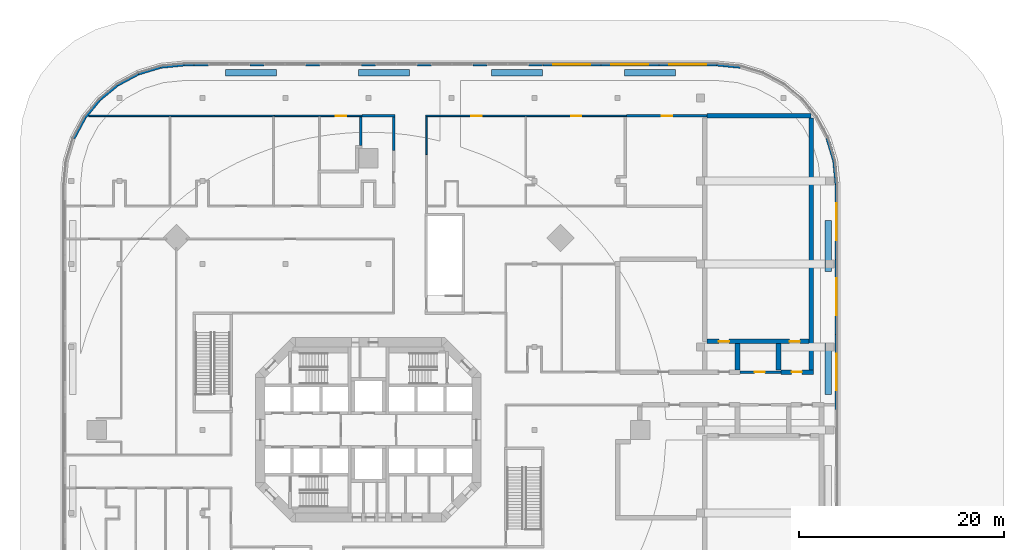
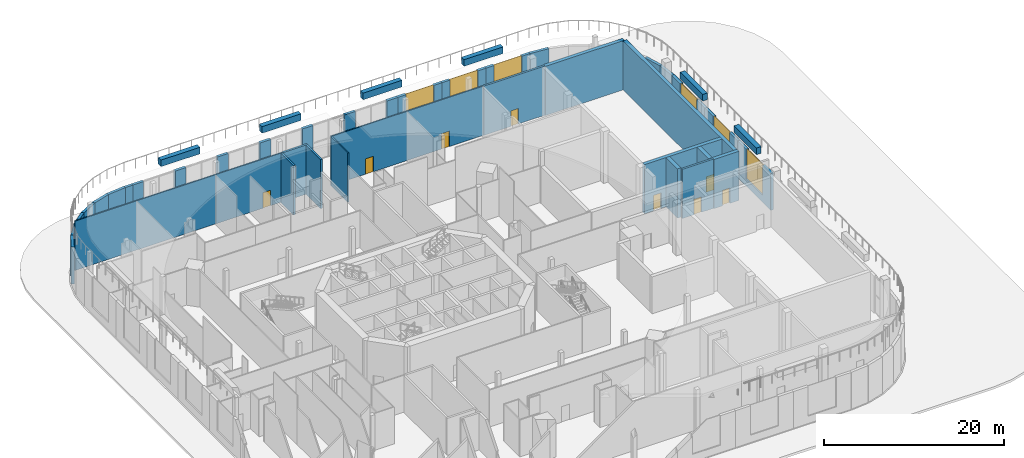
# One storey, part 13 of 17: 44 walls, 8 doors, 6 windows, 14 openings.
"""IFC4 building model written with IfcOpenShell, lengths in metres."""

from ifc_helpers import new_model, si_unit, direction, frame, frame_2d, origin, place, context, subcontext, project, spatial, rectangle, extrude, material, layer, layer_set, type_object, element, fill, save


model = new_model("IFC4")

# Units and contexts
model_context = context("Model", 3, precision=1e-05, world=origin(), true_north=direction((0.0, 1.0)))
body_context = subcontext(model_context, "Body", "Model", "MODEL_VIEW")
ifc_project = project(units=[si_unit("LENGTHUNIT", "METRE"), si_unit("AREAUNIT", "SQUARE_METRE"), si_unit("VOLUMEUNIT", "CUBIC_METRE"), si_unit("PLANEANGLEUNIT", "RADIAN"), si_unit("MASSUNIT", "GRAM", prefix="KILO")], contexts=[model_context])

# Site, building, storey
site_placement = place(None, origin())
site = spatial("IfcSite", under=ifc_project, at=site_placement, CompositionType="ELEMENT")
building_placement = place(site_placement, origin())
building = spatial("IfcBuilding", under=site, at=building_placement, Name="Torre Triforio", CompositionType="ELEMENT")
storey_placement = place(building_placement, frame((0.0, 0.0, 13.0)))
storey = spatial("IfcBuildingStorey", under=building, at=storey_placement, Name="L02", CompositionType="ELEMENT", Elevation=13.0)

# Wall, openings, doors
ifc_material_1 = material(Name="Plasterboard on metal studs")
ifc_layer_1 = layer(ifc_material_1, 0.14990234375)
ifc_layer_set_1 = layer_set([ifc_layer_1], Name="Plasterboard on metal studs")
wall_type_1 = type_object("IfcWallType", Name="Corridor wall 150 EI 60", PredefinedType="PARTITIONING", material=ifc_layer_set_1)
wall_1_placement = place(storey_placement, frame((5.574951171875, 30.64990234375, 0.0), z_axis=(0.0, 0.0, 1.0), x_axis=(1.0, 0.0, 0.0)))
wall_1 = element("IfcWall", 1, at=wall_1_placement, inside=storey, type_object=wall_type_1, Name="Corridor wall L02 045", PredefinedType="PARTITIONING", context=body_context, shape_type="SweptSolid", body=[
    extrude(rectangle(XDim=19.593017578125, YDim=0.14990234375, at=frame_2d((9.79638671875, 0.0))), origin(), (0.0, 0.0, 1.0), 6.679931640625),
])
opening_1_placement = place(wall_1_placement, frame((4.449951171875, 0.0, 0.0)))
opening_1 = element("IfcOpeningElement", 2, at=opening_1_placement, cuts=wall_1, Name="Opening P2-21", PredefinedType="OPENING", context=body_context, shape_type="SweptSolid", body=[
    extrude(rectangle(XDim=1.0, YDim=2.10009765625, at=frame_2d((0.5, 1.050048828125))), frame((0.0, 0.0849609375, 0.0), z_axis=(0.0, -1.0, 0.0), x_axis=(1.0, 0.0, 0.0)), (0.0, 0.0, 1.0), 0.169921875),
])
opening_2_placement = place(wall_1_placement, frame((14.181396484375, 0.0, 0.0)))
opening_2 = element("IfcOpeningElement", 3, at=opening_2_placement, cuts=wall_1, Name="Opening P2-22", PredefinedType="OPENING", context=body_context, shape_type="SweptSolid", body=[
    extrude(rectangle(XDim=1.0, YDim=2.10009765625, at=frame_2d((0.5, 1.050048828125))), frame((0.0, 0.0849609375, 0.0), z_axis=(0.0, -1.0, 0.0), x_axis=(1.0, 0.0, 0.0)), (0.0, 0.0, 1.0), 0.169921875),
])
ifc_material_2 = material(Name="Timber door leaf", Category="wood")
door_type_1 = type_object("IfcDoorType", Name="Single door 1000 x 2100 EI 30", OperationType="NOTDEFINED", PredefinedType="DOOR", material=ifc_material_2)
door_1_placement = place(opening_1_placement, origin())
door_1 = element("IfcDoor", 4, at=door_1_placement, inside=storey, type_object=door_type_1, Name="Door P2-21", OperationType="SINGLE_SWING_LEFT", OverallHeight=2.10009765625, OverallWidth=1.0, PredefinedType="DOOR", context=body_context, shape_type="SweptSolid", body=[
    extrude(rectangle(XDim=1.0, YDim=2.10009765625, at=frame_2d((0.5, 1.050048828125))), frame((0.0, 0.02490234375, 0.0), z_axis=(0.0, -1.0, 0.0), x_axis=(1.0, 0.0, 0.0)), (0.0, 0.0, 1.0), 0.050048828125),
])
fill(opening_1, door_1)
door_2_placement = place(opening_2_placement, origin())
door_2 = element("IfcDoor", 5, at=door_2_placement, inside=storey, type_object=door_type_1, Name="Door P2-22", OperationType="SINGLE_SWING_LEFT", OverallHeight=2.10009765625, OverallWidth=1.0, PredefinedType="DOOR", context=body_context, shape_type="SweptSolid", body=[
    extrude(rectangle(XDim=1.0, YDim=2.10009765625, at=frame_2d((0.5, 1.050048828125))), frame((0.0, 0.02490234375, 0.0), z_axis=(0.0, -1.0, 0.0), x_axis=(1.0, 0.0, 0.0)), (0.0, 0.0, 1.0), 0.050048828125),
])
fill(opening_2, door_2)

# Walls
wall_2_placement = place(storey_placement, frame((5.64990234375, 26.86572265625, 0.0), z_axis=(0.0, 0.0, 1.0), x_axis=(0.0, 1.0, 0.0)))
element("IfcWall", 6, at=wall_2_placement, inside=storey, type_object=wall_type_1, Name="Corridor wall L02 088", PredefinedType="PARTITIONING", context=body_context, shape_type="SweptSolid", body=[
    extrude(rectangle(XDim=3.709228515625, YDim=0.14990234375, at=frame_2d((1.8544921875, 0.0))), origin(), (0.0, 0.0, 1.0), 6.679931640625),
])
wall_3_placement = place(storey_placement, frame((-27.279541015625, 30.64990234375, 0.0), z_axis=(0.0, 0.0, 1.0), x_axis=(1.0, 0.0, 0.0)))
element("IfcWall", 7, at=wall_3_placement, inside=storey, type_object=wall_type_1, Name="Corridor wall L02 099", PredefinedType="PARTITIONING", context=body_context, shape_type="SweptSolid", body=[
    extrude(rectangle(XDim=18.1015625, YDim=0.14990234375, at=frame_2d((9.05078125, 0.0))), origin(), (0.0, 0.0, 1.0), 6.679931640625),
])

# Wall, opening, door
ifc_material_3 = material(Name="Masonry block", Category="masonry")
ifc_layer_2 = layer(ifc_material_3, 0.25)
ifc_layer_set_2 = layer_set([ifc_layer_2], Name="Masonry block")
wall_type_2 = type_object("IfcWallType", Name="Plant room wall 250 EI 120", PredefinedType="PARTITIONING", material=ifc_layer_set_2)
wall_4_placement = place(storey_placement, frame((36.22509765625, 5.64990234375, 0.0), z_axis=(0.0, 0.0, 1.0), x_axis=(1.0, 0.0, 0.0)))
wall_4 = element("IfcWall", 8, at=wall_4_placement, inside=storey, type_object=wall_type_2, Name="Plant room wall L02 001", PredefinedType="PARTITIONING", context=body_context, shape_type="SweptSolid", body=[
    extrude(rectangle(XDim=4.0, YDim=0.25, at=frame_2d((2.0, 0.0))), origin(), (0.0, 0.0, 1.0), 6.679931640625),
])
opening_3_placement = place(wall_4_placement, frame((1.449951171875, 0.0, 0.0)))
opening_3 = element("IfcOpeningElement", 9, at=opening_3_placement, cuts=wall_4, Name="Opening P2-13", PredefinedType="OPENING", context=body_context, shape_type="SweptSolid", body=[
    extrude(rectangle(XDim=1.0, YDim=2.10009765625, at=frame_2d((0.5, 1.050048828125))), frame((0.0, 0.135009765625, 0.0), z_axis=(0.0, -1.0, 0.0), x_axis=(1.0, 0.0, 0.0)), (0.0, 0.0, 1.0), 0.27001953125),
])
ifc_material_4 = material(Name="Hollow metal fire door leaf")
door_type_2 = type_object("IfcDoorType", Name="Fire door 1000 x 2100 EI 60", OperationType="NOTDEFINED", PredefinedType="DOOR", material=ifc_material_4)
door_3_placement = place(opening_3_placement, origin())
door_3 = element("IfcDoor", 10, at=door_3_placement, inside=storey, type_object=door_type_2, Name="Door P2-13", OperationType="SINGLE_SWING_LEFT", OverallHeight=2.10009765625, OverallWidth=1.0, PredefinedType="DOOR", context=body_context, shape_type="SweptSolid", body=[
    extrude(rectangle(XDim=1.0, YDim=2.10009765625, at=frame_2d((0.5, 1.050048828125))), frame((0.0, 0.02490234375, 0.0), z_axis=(0.0, -1.0, 0.0), x_axis=(1.0, 0.0, 0.0)), (0.0, 0.0, 1.0), 0.050048828125),
])
fill(opening_3, door_3)

wall_5_placement = place(storey_placement, frame((25.16796875, 30.64990234375, 0.0), z_axis=(0.0, 0.0, 1.0), x_axis=(1.0, 0.0, 0.0)))
wall_5 = element("IfcWall", 11, at=wall_5_placement, inside=storey, type_object=wall_type_2, Name="Plant room wall L02 085", PredefinedType="PARTITIONING", context=body_context, shape_type="SweptSolid", body=[
    extrude(rectangle(XDim=7.85693359375, YDim=0.25, at=frame_2d((3.928466796875, 0.0))), origin(), (0.0, 0.0, 1.0), 6.679931640625),
])
opening_4_placement = place(wall_5_placement, frame((3.449951171875, 0.0, 0.0)))
opening_4 = element("IfcOpeningElement", 12, at=opening_4_placement, cuts=wall_5, Name="Opening P2-23", PredefinedType="OPENING", context=body_context, shape_type="SweptSolid", body=[
    extrude(rectangle(XDim=1.0, YDim=2.10009765625, at=frame_2d((0.5, 1.050048828125))), frame((0.0, 0.135009765625, 0.0), z_axis=(0.0, -1.0, 0.0), x_axis=(1.0, 0.0, 0.0)), (0.0, 0.0, 1.0), 0.27001953125),
])
door_4_placement = place(opening_4_placement, origin())
door_4 = element("IfcDoor", 13, at=door_4_placement, inside=storey, type_object=door_type_2, Name="Door P2-23", OperationType="SINGLE_SWING_LEFT", OverallHeight=2.10009765625, OverallWidth=1.0, PredefinedType="DOOR", context=body_context, shape_type="SweptSolid", body=[
    extrude(rectangle(XDim=1.0, YDim=2.10009765625, at=frame_2d((0.5, 1.050048828125))), frame((0.0, 0.02490234375, 0.0), z_axis=(0.0, -1.0, 0.0), x_axis=(1.0, 0.0, 0.0)), (0.0, 0.0, 1.0), 0.050048828125),
])
fill(opening_4, door_4)

# Walls
wall_6_placement = place(storey_placement, frame((2.449951171875, 27.286865234375, 0.0), z_axis=(0.0, 0.0, 1.0), x_axis=(0.0, 1.0, 0.0)))
element("IfcWall", 14, at=wall_6_placement, inside=storey, type_object=wall_type_2, Name="Plant room wall L02 096", PredefinedType="PARTITIONING", context=body_context, shape_type="SweptSolid", body=[
    extrude(rectangle(XDim=3.238037109375, YDim=0.25, at=frame_2d((1.619140625, 0.0))), origin(), (0.0, 0.0, 1.0), 6.679931640625),
])
wall_7_placement = place(storey_placement, frame((-0.6240234375, 30.64990234375, 0.0), z_axis=(0.0, 0.0, 1.0), x_axis=(1.0, 0.0, 0.0)))
element("IfcWall", 15, at=wall_7_placement, inside=storey, type_object=wall_type_2, Name="Plant room wall L02 098", PredefinedType="PARTITIONING", context=body_context, shape_type="SweptSolid", body=[
    extrude(rectangle(XDim=3.198974609375, YDim=0.25, at=frame_2d((1.599609375, 0.0))), origin(), (0.0, 0.0, 1.0), 6.679931640625),
])
wall_8_placement = place(storey_placement, frame((-0.7490234375, 27.7451171875, 0.0), z_axis=(0.0, 0.0, 1.0), x_axis=(0.0, 1.0, 0.0)))
element("IfcWall", 16, at=wall_8_placement, inside=storey, type_object=wall_type_2, Name="Plant room wall L02 178", PredefinedType="PARTITIONING", context=body_context, shape_type="SweptSolid", body=[
    extrude(rectangle(XDim=2.77978515625, YDim=0.25, at=frame_2d((1.389892578125, 0.0))), origin(), (0.0, 0.0, 1.0), 6.679931640625),
])

# Wall, opening, window
ifc_material_5 = material(Name="Limestone cladding", Category="masonry")
ifc_layer_3 = layer(ifc_material_5, 0.10009765625)
ifc_material_6 = material(Name="Concrete C40", Category="concrete")
ifc_layer_4 = layer(ifc_material_6, 0.25)
ifc_layer_set_3 = layer_set([ifc_layer_3, ifc_layer_4], Name="Limestone cladding / Concrete C40")
wall_type_3 = type_object("IfcWallType", Name="Stone-clad podium wall 350", PredefinedType="STANDARD", material=ifc_layer_set_3)
wall_9_placement = place(storey_placement, frame((45.675048828125, 1.991943359375, 0.0), z_axis=(0.0, 0.0, 1.0), x_axis=(0.0, 1.0, 0.0)))
wall_9 = element("IfcWall", 17, at=wall_9_placement, inside=storey, type_object=wall_type_3, Name="External wall L02 e08.0.1.w3", PredefinedType="STANDARD", context=body_context, shape_type="SweptSolid", body=[
    extrude(rectangle(XDim=7.330810546875, YDim=0.35009765625, at=frame_2d((3.66552734375, 0.0))), origin(), (0.0, 0.0, 1.0), 5.0),
])
opening_5_placement = place(wall_9_placement, frame((1.865234375, 0.0, 1.0)))
opening_5 = element("IfcOpeningElement", 18, at=opening_5_placement, cuts=wall_9, Name="Opening P2-W04", PredefinedType="OPENING", context=body_context, shape_type="SweptSolid", body=[
    extrude(rectangle(XDim=3.60009765625, YDim=4.0, at=frame_2d((1.800048828125, 2.0))), frame((0.0, 0.18505859375, 0.0), z_axis=(0.0, -1.0, 0.0), x_axis=(1.0, 0.0, 0.0)), (0.0, 0.0, 1.0), 0.3701171875),
])
ifc_material_7 = material(Name="Aluminium frame with clear double glazing", Category="aluminium")
window_type = type_object("IfcWindowType", Name="Podium window 3600 x 4000", PartitioningType="DOUBLE_PANEL_VERTICAL", PredefinedType="WINDOW", material=ifc_material_7)
window_1_placement = place(opening_5_placement, origin())
window_1 = element("IfcWindow", 19, at=window_1_placement, inside=storey, type_object=window_type, Name="Window L02 e08.0.1.w3", OverallHeight=4.0, OverallWidth=3.60009765625, PartitioningType="SINGLE_PANEL", PredefinedType="WINDOW", context=body_context, shape_type="SweptSolid", body=[
    extrude(rectangle(XDim=3.60009765625, YDim=4.0, at=frame_2d((1.800048828125, 2.0))), frame((0.0, 0.030029296875, 0.0), z_axis=(0.0, -1.0, 0.0), x_axis=(1.0, 0.0, 0.0)), (0.0, 0.0, 1.0), 0.06005859375),
])
fill(opening_5, window_1)

wall_10_placement = place(storey_placement, frame((45.675048828125, 9.32275390625, 0.0), z_axis=(0.0, 0.0, 1.0), x_axis=(0.0, 1.0, 0.0)))
wall_10 = element("IfcWall", 20, at=wall_10_placement, inside=storey, type_object=wall_type_3, Name="External wall L02 e08.0.1.w4", PredefinedType="STANDARD", context=body_context, shape_type="SweptSolid", body=[
    extrude(rectangle(XDim=7.33056640625, YDim=0.35009765625, at=frame_2d((3.665283203125, 0.0))), origin(), (0.0, 0.0, 1.0), 5.0),
])
opening_6_placement = place(wall_10_placement, frame((1.865234375, 0.0, 1.0)))
opening_6 = element("IfcOpeningElement", 21, at=opening_6_placement, cuts=wall_10, Name="Opening P2-W05", PredefinedType="OPENING", context=body_context, shape_type="SweptSolid", body=[
    extrude(rectangle(XDim=3.60009765625, YDim=4.0, at=frame_2d((1.800048828125, 2.0))), frame((0.0, 0.18505859375, 0.0), z_axis=(0.0, -1.0, 0.0), x_axis=(1.0, 0.0, 0.0)), (0.0, 0.0, 1.0), 0.3701171875),
])
window_2_placement = place(opening_6_placement, origin())
window_2 = element("IfcWindow", 22, at=window_2_placement, inside=storey, type_object=window_type, Name="Window L02 e08.0.1.w4", OverallHeight=4.0, OverallWidth=3.60009765625, PartitioningType="SINGLE_PANEL", PredefinedType="WINDOW", context=body_context, shape_type="SweptSolid", body=[
    extrude(rectangle(XDim=3.60009765625, YDim=4.0, at=frame_2d((1.800048828125, 2.0))), frame((0.0, 0.030029296875, 0.0), z_axis=(0.0, -1.0, 0.0), x_axis=(1.0, 0.0, 0.0)), (0.0, 0.0, 1.0), 0.06005859375),
])
fill(opening_6, window_2)

wall_11_placement = place(storey_placement, frame((45.675048828125, 16.6533203125, 0.0), z_axis=(0.0, 0.0, 1.0), x_axis=(0.0, 1.0, 0.0)))
wall_11 = element("IfcWall", 23, at=wall_11_placement, inside=storey, type_object=wall_type_3, Name="External wall L02 e08.0.1.w5", PredefinedType="STANDARD", context=body_context, shape_type="SweptSolid", body=[
    extrude(rectangle(XDim=7.33056640625, YDim=0.35009765625, at=frame_2d((3.665283203125, 0.0))), origin(), (0.0, 0.0, 1.0), 5.0),
])
opening_7_placement = place(wall_11_placement, frame((1.865234375, 0.0, 1.0)))
opening_7 = element("IfcOpeningElement", 24, at=opening_7_placement, cuts=wall_11, Name="Opening P2-W06", PredefinedType="OPENING", context=body_context, shape_type="SweptSolid", body=[
    extrude(rectangle(XDim=3.60009765625, YDim=4.0, at=frame_2d((1.800048828125, 2.0))), frame((0.0, 0.18505859375, 0.0), z_axis=(0.0, -1.0, 0.0), x_axis=(1.0, 0.0, 0.0)), (0.0, 0.0, 1.0), 0.3701171875),
])
window_3_placement = place(opening_7_placement, origin())
window_3 = element("IfcWindow", 25, at=window_3_placement, inside=storey, type_object=window_type, Name="Window L02 e08.0.1.w5", OverallHeight=4.0, OverallWidth=3.60009765625, PartitioningType="SINGLE_PANEL", PredefinedType="WINDOW", context=body_context, shape_type="SweptSolid", body=[
    extrude(rectangle(XDim=3.60009765625, YDim=4.0, at=frame_2d((1.800048828125, 2.0))), frame((0.0, 0.030029296875, 0.0), z_axis=(0.0, -1.0, 0.0), x_axis=(1.0, 0.0, 0.0)), (0.0, 0.0, 1.0), 0.06005859375),
])
fill(opening_7, window_3)

# Walls
wall_12_placement = place(storey_placement, frame((45.675048828125, 23.98388671875, 0.0), z_axis=(0.0, 0.0, 1.0), x_axis=(-0.097993192849, 0.995187085002, 0.0)))
element("IfcWall", 26, at=wall_12_placement, inside=storey, type_object=wall_type_3, Name="External wall L02 e09.0.w0", PredefinedType="STANDARD", context=body_context, shape_type="SweptSolid", body=[
    extrude(rectangle(XDim=2.304443359375, YDim=0.35009765625, at=frame_2d((1.15234375, 0.0))), origin(), (0.0, 0.0, 1.0), 5.0),
])
wall_13_placement = place(storey_placement, frame((45.44921875, 26.27734375, 0.0), z_axis=(0.0, 0.0, 1.0), x_axis=(-0.29028274763, 0.956940921075, 0.0)))
element("IfcWall", 27, at=wall_13_placement, inside=storey, type_object=wall_type_3, Name="External wall L02 e10.0.w0", PredefinedType="STANDARD", context=body_context, shape_type="SweptSolid", body=[
    extrude(rectangle(XDim=2.28857421875, YDim=0.35009765625, at=frame_2d((1.144287109375, 0.0))), origin(), (0.0, 0.0, 1.0), 5.0),
])
wall_14_placement = place(storey_placement, frame((36.27734375, 35.44921875, 0.0), z_axis=(0.0, 0.0, 1.0), x_axis=(-0.995187085002, 0.097993192849, 0.0)))
element("IfcWall", 28, at=wall_14_placement, inside=storey, type_object=wall_type_3, Name="External wall L02 e16.0.w0", PredefinedType="STANDARD", context=body_context, shape_type="SweptSolid", body=[
    extrude(rectangle(XDim=2.304443359375, YDim=0.35009765625, at=frame_2d((1.15234375, 0.0))), origin(), (0.0, 0.0, 1.0), 5.0),
])

# Wall, opening, window
wall_15_placement = place(storey_placement, frame((33.98388671875, 35.675048828125, 0.0), z_axis=(0.0, 0.0, 1.0), x_axis=(-1.0, 0.0, 0.0)))
wall_15 = element("IfcWall", 29, at=wall_15_placement, inside=storey, type_object=wall_type_3, Name="External wall L02 e17.0.0.w0", PredefinedType="STANDARD", context=body_context, shape_type="SweptSolid", body=[
    extrude(rectangle(XDim=5.6611328125, YDim=0.35009765625, at=frame_2d((2.83056640625, 0.0))), origin(), (0.0, 0.0, 1.0), 5.0),
])
opening_8_placement = place(wall_15_placement, frame((1.03076171875, 0.0, 1.0)))
opening_8 = element("IfcOpeningElement", 30, at=opening_8_placement, cuts=wall_15, Name="Opening P2-W07", PredefinedType="OPENING", context=body_context, shape_type="SweptSolid", body=[
    extrude(rectangle(XDim=3.60009765625, YDim=4.0, at=frame_2d((1.800048828125, 2.0))), frame((0.0, 0.18505859375, 0.0), z_axis=(0.0, -1.0, 0.0), x_axis=(1.0, 0.0, 0.0)), (0.0, 0.0, 1.0), 0.3701171875),
])
window_4_placement = place(opening_8_placement, origin())
window_4 = element("IfcWindow", 31, at=window_4_placement, inside=storey, type_object=window_type, Name="Window L02 e17.0.0.w0", OverallHeight=4.0, OverallWidth=3.60009765625, PartitioningType="SINGLE_PANEL", PredefinedType="WINDOW", context=body_context, shape_type="SweptSolid", body=[
    extrude(rectangle(XDim=3.60009765625, YDim=4.0, at=frame_2d((1.800048828125, 2.0))), frame((0.0, 0.030029296875, 0.0), z_axis=(0.0, -1.0, 0.0), x_axis=(1.0, 0.0, 0.0)), (0.0, 0.0, 1.0), 0.06005859375),
])
fill(opening_8, window_4)

wall_16_placement = place(storey_placement, frame((28.32275390625, 35.675048828125, 0.0), z_axis=(0.0, 0.0, 1.0), x_axis=(-1.0, 0.0, 0.0)))
wall_16 = element("IfcWall", 32, at=wall_16_placement, inside=storey, type_object=wall_type_3, Name="External wall L02 e17.0.0.w1", PredefinedType="STANDARD", context=body_context, shape_type="SweptSolid", body=[
    extrude(rectangle(XDim=5.661376953125, YDim=0.35009765625, at=frame_2d((2.83056640625, 0.0))), origin(), (0.0, 0.0, 1.0), 5.0),
])
opening_9_placement = place(wall_16_placement, frame((1.03076171875, 0.0, 1.0)))
opening_9 = element("IfcOpeningElement", 33, at=opening_9_placement, cuts=wall_16, Name="Opening P2-W08", PredefinedType="OPENING", context=body_context, shape_type="SweptSolid", body=[
    extrude(rectangle(XDim=3.60009765625, YDim=4.0, at=frame_2d((1.800048828125, 2.0))), frame((0.0, 0.18505859375, 0.0), z_axis=(0.0, -1.0, 0.0), x_axis=(1.0, 0.0, 0.0)), (0.0, 0.0, 1.0), 0.3701171875),
])
window_5_placement = place(opening_9_placement, origin())
window_5 = element("IfcWindow", 34, at=window_5_placement, inside=storey, type_object=window_type, Name="Window L02 e17.0.0.w1", OverallHeight=4.0, OverallWidth=3.60009765625, PartitioningType="SINGLE_PANEL", PredefinedType="WINDOW", context=body_context, shape_type="SweptSolid", body=[
    extrude(rectangle(XDim=3.60009765625, YDim=4.0, at=frame_2d((1.800048828125, 2.0))), frame((0.0, 0.030029296875, 0.0), z_axis=(0.0, -1.0, 0.0), x_axis=(1.0, 0.0, 0.0)), (0.0, 0.0, 1.0), 0.06005859375),
])
fill(opening_9, window_5)

wall_17_placement = place(storey_placement, frame((22.661376953125, 35.675048828125, 0.0), z_axis=(0.0, 0.0, 1.0), x_axis=(-1.0, 0.0, 0.0)))
wall_17 = element("IfcWall", 35, at=wall_17_placement, inside=storey, type_object=wall_type_3, Name="External wall L02 e17.0.0.w2", PredefinedType="STANDARD", context=body_context, shape_type="SweptSolid", body=[
    extrude(rectangle(XDim=5.661376953125, YDim=0.35009765625, at=frame_2d((2.83056640625, 0.0))), origin(), (0.0, 0.0, 1.0), 5.0),
])
opening_10_placement = place(wall_17_placement, frame((1.03076171875, 0.0, 1.0)))
opening_10 = element("IfcOpeningElement", 36, at=opening_10_placement, cuts=wall_17, Name="Opening P2-W09", PredefinedType="OPENING", context=body_context, shape_type="SweptSolid", body=[
    extrude(rectangle(XDim=3.60009765625, YDim=4.0, at=frame_2d((1.800048828125, 2.0))), frame((0.0, 0.18505859375, 0.0), z_axis=(0.0, -1.0, 0.0), x_axis=(1.0, 0.0, 0.0)), (0.0, 0.0, 1.0), 0.3701171875),
])
window_6_placement = place(opening_10_placement, origin())
window_6 = element("IfcWindow", 37, at=window_6_placement, inside=storey, type_object=window_type, Name="Window L02 e17.0.0.w2", OverallHeight=4.0, OverallWidth=3.60009765625, PartitioningType="SINGLE_PANEL", PredefinedType="WINDOW", context=body_context, shape_type="SweptSolid", body=[
    extrude(rectangle(XDim=3.60009765625, YDim=4.0, at=frame_2d((1.800048828125, 2.0))), frame((0.0, 0.030029296875, 0.0), z_axis=(0.0, -1.0, 0.0), x_axis=(1.0, 0.0, 0.0)), (0.0, 0.0, 1.0), 0.06005859375),
])
fill(opening_10, window_6)

# Walls
wall_18_placement = place(storey_placement, frame((17.0, 35.675048828125, 0.0), z_axis=(0.0, 0.0, 1.0), x_axis=(-1.0, 0.0, 0.0)))
element("IfcWall", 38, at=wall_18_placement, inside=storey, type_object=wall_type_3, Name="External wall L02 e17.0.1.g0", PredefinedType="STANDARD", context=body_context, shape_type="SweptSolid", body=[
    extrude(rectangle(XDim=1.3857421875, YDim=0.35009765625, at=frame_2d((0.69287109375, 0.0))), origin(), (0.0, 0.0, 1.0), 5.0),
])
wall_19_placement = place(storey_placement, frame((11.564208984375, 35.675048828125, 0.0), z_axis=(0.0, 0.0, 1.0), x_axis=(-1.0, 0.0, 0.0)))
element("IfcWall", 39, at=wall_19_placement, inside=storey, type_object=wall_type_3, Name="External wall L02 e17.0.1.g1", PredefinedType="STANDARD", context=body_context, shape_type="SweptSolid", body=[
    extrude(rectangle(XDim=1.385498046875, YDim=0.35009765625, at=frame_2d((0.69287109375, 0.0))), origin(), (0.0, 0.0, 1.0), 5.0),
])
for number, where, z_axis, x_axis, name in (
    (40, (6.128662109375, 35.675048828125, 0.0), (0.0, 0.0, 1.0), (-1.0, 0.0, 0.0), "External wall L02 e17.0.1.g2"),
    (41, (0.69287109375, 35.675048828125, 0.0), (0.0, 0.0, 1.0), (-1.0, 0.0, 0.0), "External wall L02 e17.0.1.g3"),
    (42, (-4.742919921875, 35.675048828125, 0.0), (0.0, 0.0, 1.0), (-1.0, 0.0, 0.0), "External wall L02 e17.0.1.g4"),
):
    element("IfcWall", number, at=place(storey_placement, frame(where, z_axis=z_axis, x_axis=x_axis)), inside=storey, type_object=wall_type_3, Name=name, PredefinedType="STANDARD", context=body_context, shape_type="SweptSolid", body=[
        extrude(rectangle(XDim=1.3857421875, YDim=0.35009765625, at=frame_2d((0.69287109375, 0.0))), origin(), (0.0, 0.0, 1.0), 5.0),
    ])
wall_20_placement = place(storey_placement, frame((-10.1787109375, 35.675048828125, 0.0), z_axis=(0.0, 0.0, 1.0), x_axis=(-1.0, 0.0, 0.0)))
element("IfcWall", 43, at=wall_20_placement, inside=storey, type_object=wall_type_3, Name="External wall L02 e17.0.1.g5", PredefinedType="STANDARD", context=body_context, shape_type="SweptSolid", body=[
    extrude(rectangle(XDim=1.385498046875, YDim=0.35009765625, at=frame_2d((0.69287109375, 0.0))), origin(), (0.0, 0.0, 1.0), 5.0),
])
wall_21_placement = place(storey_placement, frame((-15.6142578125, 35.675048828125, 0.0), z_axis=(0.0, 0.0, 1.0), x_axis=(-1.0, 0.0, 0.0)))
element("IfcWall", 44, at=wall_21_placement, inside=storey, type_object=wall_type_3, Name="External wall L02 e17.0.1.g6", PredefinedType="STANDARD", context=body_context, shape_type="SweptSolid", body=[
    extrude(rectangle(XDim=1.3857421875, YDim=0.35009765625, at=frame_2d((0.69287109375, 0.0))), origin(), (0.0, 0.0, 1.0), 5.0),
])
wall_22_placement = place(storey_placement, frame((-17.0, 35.675048828125, 0.0), z_axis=(0.0, 0.0, 1.0), x_axis=(-1.0, 0.0, 0.0)))
element("IfcWall", 45, at=wall_22_placement, inside=storey, type_object=wall_type_3, Name="External wall L02 e17.0.2.w0", PredefinedType="STANDARD", context=body_context, shape_type="SweptSolid", body=[
    extrude(rectangle(XDim=0.98388671875, YDim=0.35009765625, at=frame_2d((0.491943359375, 0.0))), origin(), (0.0, 0.0, 1.0), 5.0),
])
wall_23_placement = place(storey_placement, frame((-17.98388671875, 35.675048828125, 0.0), z_axis=(0.0, 0.0, 1.0), x_axis=(-0.995187085002, -0.097993192849, 0.0)))
element("IfcWall", 46, at=wall_23_placement, inside=storey, type_object=wall_type_3, Name="External wall L02 e18.0.w0", PredefinedType="STANDARD", context=body_context, shape_type="SweptSolid", body=[
    extrude(rectangle(XDim=2.304443359375, YDim=0.35009765625, at=frame_2d((1.15234375, 0.0))), origin(), (0.0, 0.0, 1.0), 5.0),
])
wall_24_placement = place(storey_placement, frame((-20.27734375, 35.44921875, 0.0), z_axis=(0.0, 0.0, 1.0), x_axis=(-0.956940921075, -0.29028274763, 0.0)))
element("IfcWall", 47, at=wall_24_placement, inside=storey, type_object=wall_type_3, Name="External wall L02 e19.0.w0", PredefinedType="STANDARD", context=body_context, shape_type="SweptSolid", body=[
    extrude(rectangle(XDim=2.28857421875, YDim=0.35009765625, at=frame_2d((1.144287109375, 0.0))), origin(), (0.0, 0.0, 1.0), 5.0),
])
for number, where, z_axis, x_axis, name in (
    (48, (-22.46728515625, 34.784912109375, 0.0), (0.0, 0.0, 1.0), (-0.881888841544, -0.47145739061, 0.0), "External wall L02 e20.0.w0"),
    (49, (-24.4853515625, 33.7060546875, 0.0), (0.0, 0.0, 1.0), (-0.773043858187, -0.634352578082, 0.0), "External wall L02 e21.0.w0"),
    (50, (-26.25439453125, 32.25439453125, 0.0), (0.0, 0.0, 1.0), (-0.634352578082, -0.773043858187, 0.0), "External wall L02 e22.0.w0"),
    (51, (-27.7060546875, 30.4853515625, 0.0), (0.0, 0.0, 1.0), (-0.47145739061, -0.881888841544, 0.0), "External wall L02 e23.0.w0"),
):
    element("IfcWall", number, at=place(storey_placement, frame(where, z_axis=z_axis, x_axis=x_axis)), inside=storey, type_object=wall_type_3, Name=name, PredefinedType="STANDARD", context=body_context, shape_type="SweptSolid", body=[
        extrude(rectangle(XDim=2.288330078125, YDim=0.35009765625, at=frame_2d((1.14404296875, 0.0))), origin(), (0.0, 0.0, 1.0), 5.0),
    ])
ifc_material_8 = material(Name="Double leaf masonry acoustic wall", Category="masonry")
ifc_layer_5 = layer(ifc_material_8, 0.449951171875)
ifc_layer_set_4 = layer_set([ifc_layer_5], Name="Double leaf masonry acoustic wall")
wall_type_4 = type_object("IfcWallType", Name="Studio sound wall 450 EI 60", PredefinedType="PARTITIONING", material=ifc_layer_set_4)
for number, where, z_axis, x_axis, name in (
    (52, (36.0, 5.875, 0.0), (0.0, 0.0, 1.0), (0.0, 1.0, 0.0), "Studio sound wall L02 002"),
    (53, (40.0, 5.875, 0.0), (0.0, 0.0, 1.0), (0.0, 1.0, 0.0), "Studio sound wall L02 003"),
):
    element("IfcWall", number, at=place(storey_placement, frame(where, z_axis=z_axis, x_axis=x_axis)), inside=storey, type_object=wall_type_4, Name=name, PredefinedType="PARTITIONING", context=body_context, shape_type="SweptSolid", body=[
        extrude(rectangle(XDim=2.550048828125, YDim=0.449951171875, at=frame_2d((1.27490234375, 0.0))), origin(), (0.0, 0.0, 1.0), 6.679931640625),
    ])

# Wall, opening, door
wall_25_placement = place(storey_placement, frame((40.22509765625, 5.64990234375, 0.0), z_axis=(0.0, 0.0, 1.0), x_axis=(1.0, 0.0, 0.0)))
wall_25 = element("IfcWall", 54, at=wall_25_placement, inside=storey, type_object=wall_type_4, Name="Studio sound wall L02 030", PredefinedType="PARTITIONING", context=body_context, shape_type="SweptSolid", body=[
    extrude(rectangle(XDim=3.199951171875, YDim=0.449951171875, at=frame_2d((1.60009765625, 0.0))), origin(), (0.0, 0.0, 1.0), 6.679931640625),
])
opening_11_placement = place(wall_25_placement, frame((1.050048828125, 0.0, 0.0)))
opening_11 = element("IfcOpeningElement", 55, at=opening_11_placement, cuts=wall_25, Name="Opening P2-07", PredefinedType="OPENING", context=body_context, shape_type="SweptSolid", body=[
    extrude(rectangle(XDim=1.0, YDim=2.10009765625, at=frame_2d((0.5, 1.050048828125))), frame((0.0, 0.23486328125, 0.0), z_axis=(0.0, -1.0, 0.0), x_axis=(1.0, 0.0, 0.0)), (0.0, 0.0, 1.0), 0.469970703125),
])
ifc_material_9 = material(Name="Acoustic timber door leaf", Category="wood")
door_type_3 = type_object("IfcDoorType", Name="Acoustic door 1000 x 2100 EI 60", OperationType="NOTDEFINED", PredefinedType="DOOR", material=ifc_material_9)
door_5_placement = place(opening_11_placement, origin())
door_5 = element("IfcDoor", 56, at=door_5_placement, inside=storey, type_object=door_type_3, Name="Door P2-07", OperationType="SINGLE_SWING_LEFT", OverallHeight=2.10009765625, OverallWidth=1.0, PredefinedType="DOOR", context=body_context, shape_type="SweptSolid", body=[
    extrude(rectangle(XDim=1.0, YDim=2.10009765625, at=frame_2d((0.5, 1.050048828125))), frame((0.0, 0.02490234375, 0.0), z_axis=(0.0, -1.0, 0.0), x_axis=(1.0, 0.0, 0.0)), (0.0, 0.0, 1.0), 0.050048828125),
])
fill(opening_11, door_5)

# Wall
wall_26_placement = place(storey_placement, frame((43.199951171875, 5.875, 0.0), z_axis=(0.0, 0.0, 1.0), x_axis=(0.0, 1.0, 0.0)))
element("IfcWall", 57, at=wall_26_placement, inside=storey, type_object=wall_type_4, Name="Studio sound wall L02 031", PredefinedType="PARTITIONING", context=body_context, shape_type="SweptSolid", body=[
    extrude(rectangle(XDim=24.550048828125, YDim=0.449951171875, at=frame_2d((12.27490234375, 0.0))), origin(), (0.0, 0.0, 1.0), 6.679931640625),
])

# Wall, openings, doors
wall_27_placement = place(storey_placement, frame((33.02490234375, 8.64990234375, 0.0), z_axis=(0.0, 0.0, 1.0), x_axis=(1.0, 0.0, 0.0)))
wall_27 = element("IfcWall", 58, at=wall_27_placement, inside=storey, type_object=wall_type_4, Name="Studio sound wall L02 060", PredefinedType="PARTITIONING", context=body_context, shape_type="SweptSolid", body=[
    extrude(rectangle(XDim=9.9501953125, YDim=0.449951171875, at=frame_2d((4.97509765625, 0.0))), origin(), (0.0, 0.0, 1.0), 6.679931640625),
])
opening_12_placement = place(wall_27_placement, frame((1.14990234375, 0.0, 0.0)))
opening_12 = element("IfcOpeningElement", 59, at=opening_12_placement, cuts=wall_27, Name="Opening P2-06", PredefinedType="OPENING", context=body_context, shape_type="SweptSolid", body=[
    extrude(rectangle(XDim=1.0, YDim=2.10009765625, at=frame_2d((0.5, 1.050048828125))), frame((0.0, 0.23486328125, 0.0), z_axis=(0.0, -1.0, 0.0), x_axis=(1.0, 0.0, 0.0)), (0.0, 0.0, 1.0), 0.469970703125),
])
opening_13_placement = place(wall_27_placement, frame((8.050048828125, 0.0, 0.0)))
opening_13 = element("IfcOpeningElement", 60, at=opening_13_placement, cuts=wall_27, Name="Opening P2-08", PredefinedType="OPENING", context=body_context, shape_type="SweptSolid", body=[
    extrude(rectangle(XDim=1.0, YDim=2.10009765625, at=frame_2d((0.5, 1.050048828125))), frame((0.0, 0.23486328125, 0.0), z_axis=(0.0, -1.0, 0.0), x_axis=(1.0, 0.0, 0.0)), (0.0, 0.0, 1.0), 0.469970703125),
])
door_6_placement = place(opening_12_placement, origin())
door_6 = element("IfcDoor", 61, at=door_6_placement, inside=storey, type_object=door_type_3, Name="Door P2-06", OperationType="SINGLE_SWING_LEFT", OverallHeight=2.10009765625, OverallWidth=1.0, PredefinedType="DOOR", context=body_context, shape_type="SweptSolid", body=[
    extrude(rectangle(XDim=1.0, YDim=2.10009765625, at=frame_2d((0.5, 1.050048828125))), frame((0.0, 0.02490234375, 0.0), z_axis=(0.0, -1.0, 0.0), x_axis=(1.0, 0.0, 0.0)), (0.0, 0.0, 1.0), 0.050048828125),
])
fill(opening_12, door_6)
door_7_placement = place(opening_13_placement, origin())
door_7 = element("IfcDoor", 62, at=door_7_placement, inside=storey, type_object=door_type_3, Name="Door P2-08", OperationType="SINGLE_SWING_LEFT", OverallHeight=2.10009765625, OverallWidth=1.0, PredefinedType="DOOR", context=body_context, shape_type="SweptSolid", body=[
    extrude(rectangle(XDim=1.0, YDim=2.10009765625, at=frame_2d((0.5, 1.050048828125))), frame((0.0, 0.02490234375, 0.0), z_axis=(0.0, -1.0, 0.0), x_axis=(1.0, 0.0, 0.0)), (0.0, 0.0, 1.0), 0.050048828125),
])
fill(opening_13, door_7)

# Walls
wall_28_placement = place(storey_placement, frame((33.02490234375, 30.64990234375, 0.0), z_axis=(0.0, 0.0, 1.0), x_axis=(1.0, 0.0, 0.0)))
element("IfcWall", 63, at=wall_28_placement, inside=storey, type_object=wall_type_4, Name="Studio sound wall L02 086", PredefinedType="PARTITIONING", context=body_context, shape_type="SweptSolid", body=[
    extrude(rectangle(XDim=10.135009765625, YDim=0.449951171875, at=frame_2d((5.0673828125, 0.0))), origin(), (0.0, 0.0, 1.0), 6.679931640625),
])
ifc_layer_6 = layer(ifc_material_5, 0.10009765625)
ifc_layer_7 = layer(ifc_material_6, 0.5)
ifc_layer_set_5 = layer_set([ifc_layer_6, ifc_layer_7], Name="Limestone cladding / Concrete C40")
wall_type_5 = type_object("IfcWallType", Name="Terrace planter wall 600", PredefinedType="PARAPET", material=ifc_layer_set_5)
for number, where, z_axis, x_axis, name in (
    (64, (44.85009765625, 3.48583984375, 7.0), (0.0, 0.0, 1.0), (0.0, 1.0, 0.0), "Terrace T3 planter 09.3"),
    (65, (44.85009765625, 15.45751953125, 7.0), (0.0, 0.0, 1.0), (0.0, 1.0, 0.0), "Terrace T3 planter 09.4"),
    (66, (29.95751953125, 34.85009765625, 7.0), (0.0, 0.0, 1.0), (-1.0, 0.0, 0.0), "Terrace T3 planter 18.1"),
    (67, (16.98583984375, 34.85009765625, 7.0), (0.0, 0.0, 1.0), (-1.0, 0.0, 0.0), "Terrace T3 planter 18.2"),
    (68, (4.01416015625, 34.85009765625, 7.0), (0.0, 0.0, 1.0), (-1.0, 0.0, 0.0), "Terrace T3 planter 18.3"),
    (69, (-8.95751953125, 34.85009765625, 7.0), (0.0, 0.0, 1.0), (-1.0, 0.0, 0.0), "Terrace T3 planter 18.4"),
):
    element("IfcWall", number, at=place(storey_placement, frame(where, z_axis=z_axis, x_axis=x_axis)), inside=storey, type_object=wall_type_5, Name=name, PredefinedType="PARAPET", context=body_context, shape_type="SweptSolid", body=[
        extrude(rectangle(XDim=5.0, YDim=0.60009765625, at=frame_2d((2.5, 0.0))), origin(), (0.0, 0.0, 1.0), 0.89990234375),
    ])

# Wall, opening, door
ifc_layer_8 = layer(ifc_material_1, 0.14990234375)
ifc_layer_set_6 = layer_set([ifc_layer_8], Name="Plasterboard on metal studs")
wall_type_6 = type_object("IfcWallType", Name="Wet room wall 150", PredefinedType="PARTITIONING", material=ifc_layer_set_6)
wall_29_placement = place(storey_placement, frame((-9.177978515625, 30.64990234375, 0.0), z_axis=(0.0, 0.0, 1.0), x_axis=(1.0, 0.0, 0.0)))
wall_29 = element("IfcWall", 70, at=wall_29_placement, inside=storey, type_object=wall_type_6, Name="Wet room wall L02 100", PredefinedType="PARTITIONING", context=body_context, shape_type="SweptSolid", body=[
    extrude(rectangle(XDim=8.553955078125, YDim=0.14990234375, at=frame_2d((4.27685546875, 0.0))), origin(), (0.0, 0.0, 1.0), 6.679931640625),
])
opening_14_placement = place(wall_29_placement, frame((6.00439453125, 0.0, 0.0)))
opening_14 = element("IfcOpeningElement", 71, at=opening_14_placement, cuts=wall_29, Name="Opening P2-34", PredefinedType="OPENING", context=body_context, shape_type="SweptSolid", body=[
    extrude(rectangle(XDim=1.0, YDim=2.10009765625, at=frame_2d((0.5, 1.050048828125))), frame((0.0, 0.0849609375, 0.0), z_axis=(0.0, -1.0, 0.0), x_axis=(1.0, 0.0, 0.0)), (0.0, 0.0, 1.0), 0.169921875),
])
door_type_4 = type_object("IfcDoorType", Name="Single door 1000 x 2100", OperationType="NOTDEFINED", PredefinedType="DOOR", material=ifc_material_2)
door_8_placement = place(opening_14_placement, origin())
door_8 = element("IfcDoor", 72, at=door_8_placement, inside=storey, type_object=door_type_4, Name="Door P2-34", OperationType="SINGLE_SWING_LEFT", OverallHeight=2.10009765625, OverallWidth=1.0, PredefinedType="DOOR", context=body_context, shape_type="SweptSolid", body=[
    extrude(rectangle(XDim=1.0, YDim=2.10009765625, at=frame_2d((0.5, 1.050048828125))), frame((0.0, 0.02490234375, 0.0), z_axis=(0.0, -1.0, 0.0), x_axis=(1.0, 0.0, 0.0)), (0.0, 0.0, 1.0), 0.050048828125),
])
fill(opening_14, door_8)

save(model, "model.ifc")
